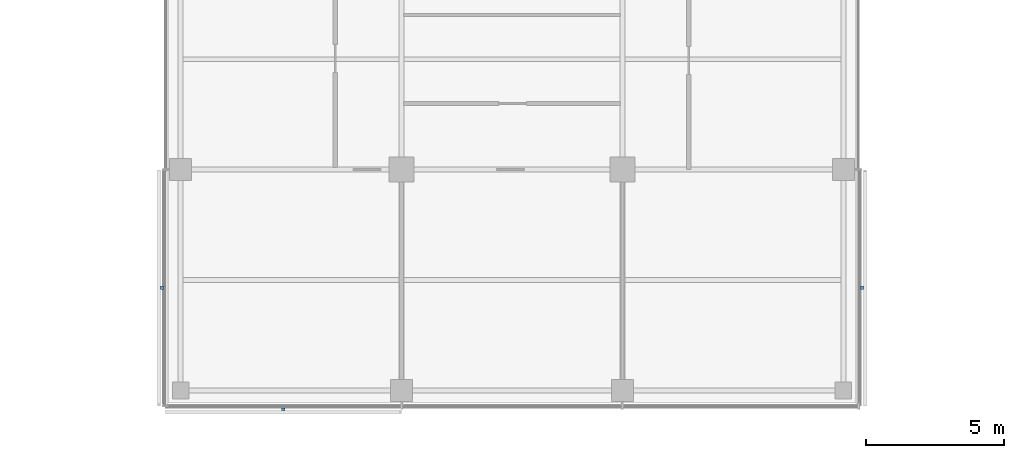
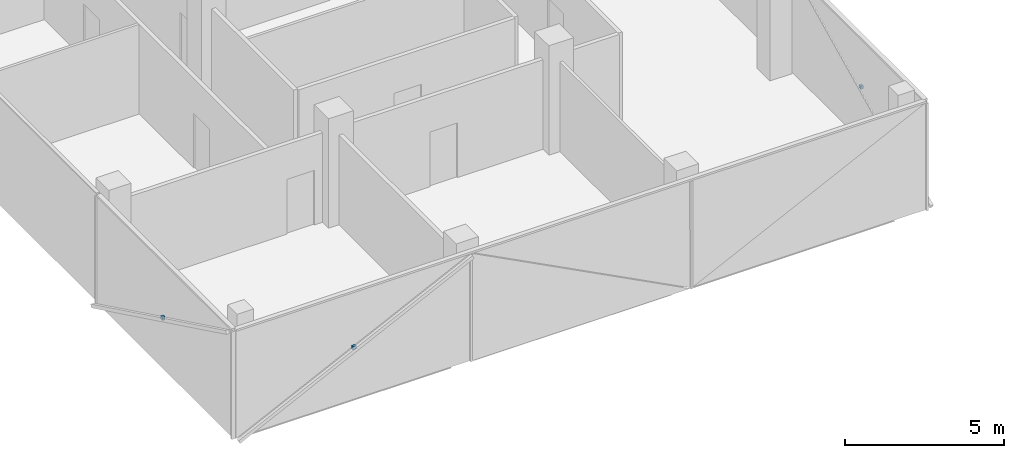
# One storey, part 13 of 15: 3 discrete accessories.
"""IFC4 building model written with IfcOpenShell, lengths in metres."""

import ifcopenshell
import ifcopenshell.guid

model = None  # the IFC model being written
_history = None  # IfcOwnerHistory: only IFC2X3 demands one
_inside = {}  # id of a spatial element -> (the spatial element, [elements in it])
_under = {}  # id of a project, library or spatial element -> (it, [spatial elements below it])
_declared = {}  # id of a project -> (the project, [libraries it declares])
_typed = {}  # id of a type object -> (the type object, [elements of that type])
_made_of = {}  # id of a material, layer set ... -> (it, [elements and type objects made of it])


def new_model(schema):
    """Start an empty IFC model of exactly this schema.

    Asked for "IFC4X3", IfcOpenShell would pick the latest addendum, in which some entities
    have other attributes; the version numbers below select the first issue.
    IFC2X3 requires an IfcOwnerHistory on every rooted entity: one is made here for all.
    """
    global model, _history
    if schema == "IFC4X3":
        model = ifcopenshell.file(schema_version=(4, 3, 0, 0))
    else:
        model = ifcopenshell.file(schema=schema)
    _inside.clear()
    _under.clear()
    _declared.clear()
    _typed.clear()
    _made_of.clear()
    _history = None
    if model.schema == "IFC2X3":
        org = make("IfcOrganization", Name="unknown")
        user = make(
            "IfcPersonAndOrganization",
            ThePerson=make("IfcPerson", FamilyName="unknown"),
            TheOrganization=org,
        )
        app = make(
            "IfcApplication",
            ApplicationDeveloper=org,
            Version="unknown",
            ApplicationFullName="unknown",
            ApplicationIdentifier="unknown",
        )
        _history = make(
            "IfcOwnerHistory",
            OwningUser=user,
            OwningApplication=app,
            ChangeAction="ADDED",
            CreationDate=0,
        )
    return model


def make(cls, **values):
    """One entity of the class cls with the attributes given. An attribute that is None is left unset."""
    return model.create_entity(
        cls, **{name: value for name, value in values.items() if value is not None}
    )


def rooted(cls, **values):
    """An entity with a GlobalId (a new one), such as an element, a storey or a relation."""
    return make(cls, GlobalId=ifcopenshell.guid.new(), OwnerHistory=_history, **values)


def si_unit(unit_type, name, prefix=None):
    """IfcSIUnit, for example si_unit("LENGTHUNIT", "METRE", prefix="MILLI")."""
    return make("IfcSIUnit", UnitType=unit_type, Prefix=prefix, Name=name)


def assignment(units):
    """IfcUnitAssignment: the units of a project."""
    return None if units is None else make("IfcUnitAssignment", Units=units)


def point(xyz):
    """IfcCartesianPoint."""
    return None if xyz is None else make("IfcCartesianPoint", Coordinates=xyz)


def direction(xyz):
    """IfcDirection."""
    return None if xyz is None else make("IfcDirection", DirectionRatios=xyz)


def frame(location, z_axis=None, x_axis=None):
    """IfcAxis2Placement3D, a coordinate frame: its origin and axes. An axis left out is left unset."""
    return make(
        "IfcAxis2Placement3D",
        Location=point(location),
        Axis=direction(z_axis),
        RefDirection=direction(x_axis),
    )


def frame_2d(location, x_axis=None):
    """IfcAxis2Placement2D, a coordinate frame in the plane: its origin and x axis."""
    return make(
        "IfcAxis2Placement2D", Location=point(location), RefDirection=direction(x_axis)
    )


def origin():
    """The frame at (0, 0, 0) with its axes left unset."""
    return frame((0.0, 0.0, 0.0))


def origin_2d():
    """The frame at (0, 0) in the plane with its x axis left unset."""
    return frame_2d((0.0, 0.0))


def place(relative_to, where):
    """IfcLocalPlacement: puts the frame where relative to a parent placement (None: the world)."""
    return make(
        "IfcLocalPlacement", PlacementRelTo=relative_to, RelativePlacement=where
    )


def context(
    kind, dimensions, precision=None, world=None, true_north=None, identifier=None
):
    """IfcGeometricRepresentationContext, for example the 3D "Model" context."""
    return make(
        "IfcGeometricRepresentationContext",
        ContextIdentifier=identifier,
        ContextType=kind,
        CoordinateSpaceDimension=dimensions,
        Precision=precision,
        WorldCoordinateSystem=world,
        TrueNorth=true_north,
    )


def subcontext(parent, identifier, kind, view, scale=None):
    """IfcGeometricRepresentationSubContext, for example "Body" below "Model"."""
    return make(
        "IfcGeometricRepresentationSubContext",
        ContextIdentifier=identifier,
        ContextType=kind,
        ParentContext=parent,
        TargetScale=scale,
        TargetView=view,
    )


def project(units=None, contexts=None):
    """IfcProject with its units and contexts."""
    return rooted(
        "IfcProject",
        Name="project",
        RepresentationContexts=contexts,
        UnitsInContext=assignment(units),
    )


def spatial(cls, under=None, at=None, **own):
    """A site, building, storey or space (cls), placed at a placement, below another one or the project."""
    s = rooted(cls, ObjectPlacement=at, **own)
    if under is not None:
        _under.setdefault(under.id(), (under, []))[1].append(s)
    return s


def profile(cls, at=None, kind="AREA", **sizes):
    """A parametric profile (cls). Its sizes go by their IFC names, for example OverallWidth=200.0."""
    return make(cls, ProfileType=kind, Position=at, **sizes)


def rectangle(**sizes):
    """IfcRectangleProfileDef."""
    return profile("IfcRectangleProfileDef", **sizes)


def extrude(swept, where, along, depth):
    """IfcExtrudedAreaSolid: the profile swept, set in the frame where, extruded along a direction by depth."""
    return make(
        "IfcExtrudedAreaSolid",
        SweptArea=swept,
        Position=where,
        ExtrudedDirection=direction(along),
        Depth=depth,
    )


def shape(context_of_items, identifier, shape_type, items):
    """IfcShapeRepresentation: the items that make up one representation, for example the "Body"."""
    return make(
        "IfcShapeRepresentation",
        ContextOfItems=context_of_items,
        RepresentationIdentifier=identifier,
        RepresentationType=shape_type,
        Items=items,
    )


def material(Name=None, Category=None):
    """IfcMaterial."""
    return make("IfcMaterial", Name=Name, Category=Category)


def made_of(thing, what):
    """Note that an element or type object is made of a material, layer set ...; save() writes the relation."""
    if what is not None:
        _made_of.setdefault(what.id(), (what, []))[1].append(thing)
    return thing


def type_object(cls, material=None, **own):
    """A type object (cls), such as IfcWallType, which elements share."""
    return made_of(rooted(cls, **own), material)


def element(
    cls,
    number,
    at=None,
    inside=None,
    cuts=None,
    type_object=None,
    material=None,
    context=None,
    identifier="Body",
    shape_type=None,
    held_by="IfcProductDefinitionShape",
    body=None,
    shapes=None,
    **own,
):
    """One element of the class cls, such as IfcWall. Its Tag is "e" and its number.

    at: its placement. inside: the storey or other place that contains it. cuts: it is an
    opening in that element (IfcRelVoidsElement). A single representation is given by context,
    identifier, shape_type and body (its items); several are given by shapes. held_by: the class
    of the entity that holds the representations. save() writes the other relations.
    """
    e = rooted(cls, Tag="e%d" % number, ObjectPlacement=at, **own)
    if body is not None:
        shapes = [shape(context, identifier, shape_type, body)]
    if shapes is not None:
        e.Representation = make(held_by, Representations=shapes)
    if inside is not None:
        _inside.setdefault(inside.id(), (inside, []))[1].append(e)
    if cuts is not None:
        rooted(
            "IfcRelVoidsElement", RelatingBuildingElement=cuts, RelatedOpeningElement=e
        )
    if type_object is not None:
        _typed.setdefault(type_object.id(), (type_object, []))[1].append(e)
    return made_of(e, material)


def aggregate(whole, parts):
    """IfcRelAggregates: a whole, such as a stair, and the parts it consists of."""
    return rooted("IfcRelAggregates", RelatingObject=whole, RelatedObjects=parts)


def save(model, path):
    """Write the relations noted so far, then the file.

    IfcRelAggregates (storeys below a building ...), IfcRelContainedInSpatialStructure (elements
    in a storey), IfcRelDefinesByType, IfcRelAssociatesMaterial and IfcRelDeclares: one each for
    every whole, place, type object, material and project.
    """
    for whole, parts in _under.values():
        aggregate(whole, parts)
    for where, things in _inside.values():
        rooted(
            "IfcRelContainedInSpatialStructure",
            RelatedElements=things,
            RelatingStructure=where,
        )
    for kind, things in _typed.values():
        rooted("IfcRelDefinesByType", RelatedObjects=things, RelatingType=kind)
    for what, things in _made_of.values():
        rooted("IfcRelAssociatesMaterial", RelatedObjects=things, RelatingMaterial=what)
    for by, libraries in _declared.values():
        rooted("IfcRelDeclares", RelatingContext=by, RelatedDefinitions=libraries)
    model.write(path)


model = new_model("IFC4")

# Units and contexts
model_context = context("Model", 3, precision=1e-05, world=origin(), true_north=direction((0.0, 1.0)))
body_context = subcontext(model_context, "Body", "Model", "MODEL_VIEW")
ifc_project = project(units=[si_unit("LENGTHUNIT", "METRE"), si_unit("AREAUNIT", "SQUARE_METRE"), si_unit("VOLUMEUNIT", "CUBIC_METRE"), si_unit("PLANEANGLEUNIT", "RADIAN"), si_unit("MASSUNIT", "GRAM", prefix="KILO")], contexts=[model_context])

# Site, building, storey
site_placement = place(None, origin())
site = spatial("IfcSite", under=ifc_project, at=site_placement, CompositionType="ELEMENT")
building_placement = place(site_placement, origin())
building = spatial("IfcBuilding", under=site, at=building_placement, Name="Crosswind Convention Tower", CompositionType="ELEMENT")
storey_placement = place(building_placement, frame((0.0, 0.0, 204.10009765625)))
storey = spatial("IfcBuildingStorey", under=building, at=storey_placement, Name="L43", CompositionType="ELEMENT", Elevation=204.10009765625)

# Discrete accessories
ifc_material = material(Name="Stainless steel", Category="steel")
discrete_accessory_type = type_object("IfcDiscreteAccessoryType", Name="BAGUETTE BRACKET BK3", PredefinedType="BRACKET", material=ifc_material)
for number, where, z_axis, x_axis, name in (
    (1, (112.323974609375, 75.719970703125, 1.704833984375), (0.0, 0.0, 1.0), (0.0, -1.0, 0.0), "BK3 baguette bracket"),
    (2, (116.719970703125, 71.323974609375, 1.704833984375), (0.0, 0.0, 1.0), (1.0, 0.0, 0.0), "BK3 baguette bracket"),
    (3, (137.676025390625, 75.719970703125, 1.704833984375), (0.0, 0.0, 1.0), (0.0, 1.0, 0.0), "BK3 baguette bracket"),
):
    element("IfcDiscreteAccessory", number, at=place(storey_placement, frame(where, z_axis=z_axis, x_axis=x_axis)), inside=storey, type_object=discrete_accessory_type, Name=name, PredefinedType="BRACKET", context=body_context, shape_type="SweptSolid", body=[
        extrude(rectangle(XDim=0.1201171875, YDim=0.10009765625, at=origin_2d()), origin(), (0.0, 0.0, 1.0), 0.1201171875),
    ])

save(model, "model.ifc")
